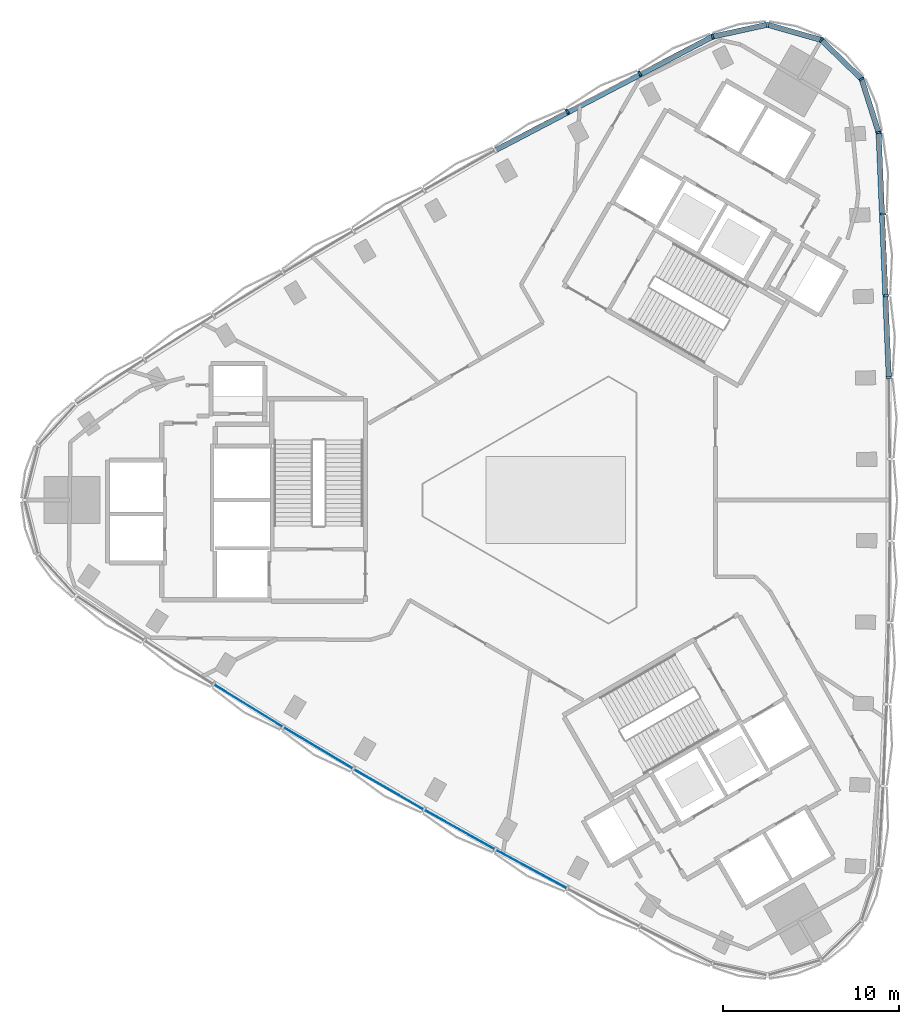
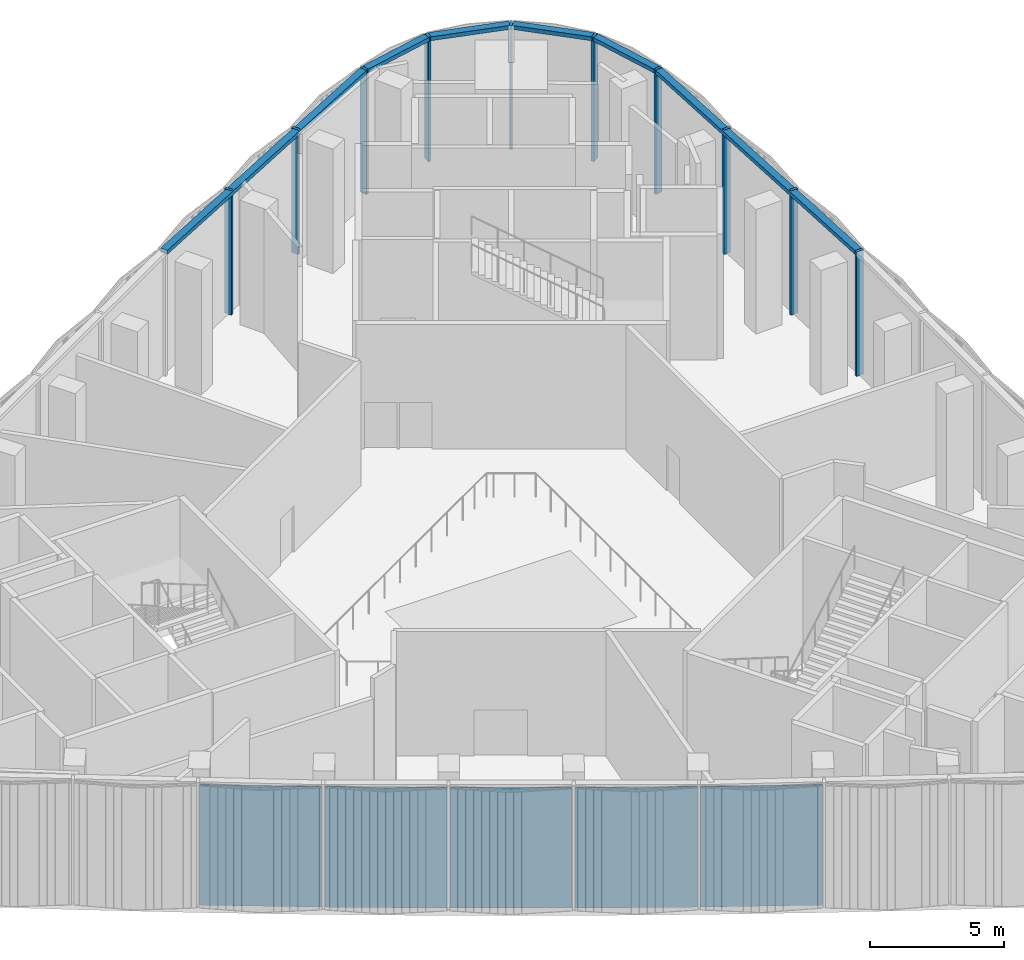
# One storey, part 3 of 14: 16 members, 5 plates, 3 elements without a shape of their own.
"""IFC4 building model written with IfcOpenShell, lengths in metres."""

from ifc_helpers import new_model, si_unit, direction, frame, origin, origin_2d, place, context, subcontext, project, spatial, rectangle, extrude, material, layer, layer_set, material_profile, profile_set, type_object, element, aggregate, save


model = new_model("IFC4")

# Units and contexts
model_context = context("Model", 3, precision=1e-05, world=origin(), true_north=direction((0.0, 1.0)))
body_context = subcontext(model_context, "Body", "Model", "MODEL_VIEW")
ifc_project = project(units=[si_unit("LENGTHUNIT", "METRE"), si_unit("AREAUNIT", "SQUARE_METRE"), si_unit("VOLUMEUNIT", "CUBIC_METRE"), si_unit("PLANEANGLEUNIT", "RADIAN"), si_unit("MASSUNIT", "GRAM", prefix="KILO")], contexts=[model_context])

# Site, building, storey
site_placement = place(None, origin())
site = spatial("IfcSite", under=ifc_project, at=site_placement, CompositionType="ELEMENT")
building_placement = place(site_placement, origin())
building = spatial("IfcBuilding", under=site, at=building_placement, Name="Tamra Quay Hotel Tower", CompositionType="ELEMENT")
storey_placement = place(building_placement, frame((0.0, 0.0, 169.60009765625)))
storey = spatial("IfcBuildingStorey", under=building, at=storey_placement, Name="L42", CompositionType="ELEMENT", Elevation=169.60009765625)

# Curtain wall, members
ifc_material_1 = material(Name="Aluminium 6063 anodised dark grey", Category="aluminium")
curtain_wall_type = type_object("IfcCurtainWallType", Name="CW5 CURTAIN WALL", PredefinedType="NOTDEFINED", material=ifc_material_1)
curtain_wall_1_placement = place(storey_placement, origin())
curtain_wall_1 = element("IfcCurtainWall", 1, at=curtain_wall_1_placement, inside=storey, type_object=curtain_wall_type, Name="CW5 east face L42", PredefinedType="NOTDEFINED")
ifc_material_profile_1 = material_profile(ifc_material_1, rectangle(XDim=0.300048828125, YDim=0.1201171875, at=origin_2d()), Name="MULLION 120X300")
ifc_profile_set_1 = profile_set([ifc_material_profile_1], Name="Aluminium 6063 anodised dark grey")
member_type_1 = type_object("IfcMemberType", Name="MULLION CW5", PredefinedType="MULLION", material=ifc_profile_set_1)
member_1_placement = place(storey_placement, frame((18.972900390625, 6.983642578125, 0.0), z_axis=(0.0, 0.0, 1.0), x_axis=(0.999783234436, 0.020820281972, 0.0)))
member_1 = element("IfcMember", 2, at=member_1_placement, type_object=member_type_1, Name="CW5 mullion L42.E.7", PredefinedType="MULLION", context=body_context, shape_type="SweptSolid", body=[
    extrude(rectangle(XDim=0.300048828125, YDim=0.1201171875, at=origin_2d()), origin(), (0.0, 0.0, 1.0), 5.64990234375),
])
member_2_placement = place(storey_placement, frame((18.843505859375, 11.637451171875, 0.0), z_axis=(0.0, 0.0, 1.0), x_axis=(0.999398546797, 0.034677725691, 0.0)))
member_2 = element("IfcMember", 3, at=member_2_placement, type_object=member_type_1, Name="CW5 mullion L42.E.8", PredefinedType="MULLION", context=body_context, shape_type="SweptSolid", body=[
    extrude(rectangle(XDim=0.300048828125, YDim=0.1201171875, at=origin_2d()), origin(), (0.0, 0.0, 1.0), 5.64990234375),
])
member_3_placement = place(storey_placement, frame((18.64990234375, 16.28955078125, 0.0), z_axis=(0.0, 0.0, 1.0), x_axis=(0.998822706984, 0.048509792963, 0.0)))
member_3 = element("IfcMember", 4, at=member_3_placement, type_object=member_type_1, Name="CW5 mullion L42.E.9", PredefinedType="MULLION", context=body_context, shape_type="SweptSolid", body=[
    extrude(rectangle(XDim=0.300048828125, YDim=0.1201171875, at=origin_2d()), origin(), (0.0, 0.0, 1.0), 5.64990234375),
])
member_4_placement = place(storey_placement, frame((18.391845703125, 20.938232421875, 0.0), z_axis=(0.0, 0.0, 1.0), x_axis=(0.98350940873, 0.180856968182, 0.0)))
member_4 = element("IfcMember", 5, at=member_4_placement, type_object=member_type_1, Name="CW5 mullion L42.E.10", PredefinedType="MULLION", context=body_context, shape_type="SweptSolid", body=[
    extrude(rectangle(XDim=0.300048828125, YDim=0.1201171875, at=origin_2d()), origin(), (0.0, 0.0, 1.0), 5.64990234375),
])
member_5_placement = place(storey_placement, frame((17.4228515625, 23.981689453125, 0.0), z_axis=(0.0, 0.0, 1.0), x_axis=(0.85012217174, 0.526585504089, 0.0)))
member_5 = element("IfcMember", 6, at=member_5_placement, type_object=member_type_1, Name="CW5 mullion L42.E.11", PredefinedType="MULLION", context=body_context, shape_type="SweptSolid", body=[
    extrude(rectangle(XDim=0.300048828125, YDim=0.1201171875, at=origin_2d()), origin(), (0.0, 0.0, 1.0), 5.64990234375),
])
member_6_placement = place(storey_placement, frame((15.12939453125, 26.205078125, 0.0), z_axis=(0.0, 0.0, 1.0), x_axis=(0.5, 0.866025403784, 0.0)))
member_6 = element("IfcMember", 7, at=member_6_placement, type_object=member_type_1, Name="CW5 mullion L42.E.12", PredefinedType="MULLION", context=body_context, shape_type="SweptSolid", body=[
    extrude(rectangle(XDim=0.300048828125, YDim=0.1201171875, at=origin_2d()), origin(), (0.0, 0.0, 1.0), 5.64990234375),
])
member_7_placement = place(storey_placement, frame((12.057373046875, 27.079345703125, 0.0), z_axis=(0.0, 0.0, 1.0), x_axis=(0.030975337936, 0.999520149091, 0.0)))
member_7 = element("IfcMember", 8, at=member_7_placement, type_object=member_type_1, Name="CW5 mullion L42.E.13", PredefinedType="MULLION", context=body_context, shape_type="SweptSolid", body=[
    extrude(rectangle(XDim=0.300048828125, YDim=0.1201171875, at=origin_2d()), origin(), (0.0, 0.0, 1.0), 5.64990234375),
])

curtain_wall_2_placement = place(storey_placement, origin())
curtain_wall_2 = element("IfcCurtainWall", 9, at=curtain_wall_2_placement, inside=storey, type_object=curtain_wall_type, Name="CW5 north-west face L42", PredefinedType="NOTDEFINED")
member_8_placement = place(storey_placement, frame((8.93701171875, 26.39697265625, 0.0), z_axis=(0.0, 0.0, 1.0), x_axis=(-0.335127975468, 0.942172616912, 0.0)))
member_8 = element("IfcMember", 10, at=member_8_placement, type_object=member_type_1, Name="CW5 mullion L42.NW.1", PredefinedType="MULLION", context=body_context, shape_type="SweptSolid", body=[
    extrude(rectangle(XDim=0.300048828125, YDim=0.1201171875, at=origin_2d()), origin(), (0.0, 0.0, 1.0), 5.64990234375),
])
member_9_placement = place(storey_placement, frame((4.7822265625, 24.296142578125, 0.0), z_axis=(0.0, 0.0, 1.0), x_axis=(-0.457400640453, 0.889260734606, 0.0)))
member_9 = element("IfcMember", 11, at=member_9_placement, type_object=member_type_1, Name="CW5 mullion L42.NW.2", PredefinedType="MULLION", context=body_context, shape_type="SweptSolid", body=[
    extrude(rectangle(XDim=0.300048828125, YDim=0.1201171875, at=origin_2d()), origin(), (0.0, 0.0, 1.0), 5.64990234375),
])
member_10_placement = place(storey_placement, frame((0.656494140625, 22.1376953125, 0.0), z_axis=(0.0, 0.0, 1.0), x_axis=(-0.469667482005, 0.882843392878, 0.0)))
member_10 = element("IfcMember", 12, at=member_10_placement, type_object=member_type_1, Name="CW5 mullion L42.NW.3", PredefinedType="MULLION", context=body_context, shape_type="SweptSolid", body=[
    extrude(rectangle(XDim=0.300048828125, YDim=0.1201171875, at=origin_2d()), origin(), (0.0, 0.0, 1.0), 5.64990234375),
])

# Member
ifc_material_profile_2 = material_profile(ifc_material_1, rectangle(XDim=0.300048828125, YDim=0.179931640625, at=origin_2d()), Name="TRANSOM 300X180")
ifc_profile_set_2 = profile_set([ifc_material_profile_2], Name="Aluminium 6063 anodised dark grey")
member_type_2 = type_object("IfcMemberType", Name="TRANSOM CW5", PredefinedType="USERDEFINED", material=ifc_profile_set_2)
member_11_placement = place(storey_placement, frame((18.97119140625, 7.043701171875, 5.559814453125), z_axis=(-0.041593875025, 0.999134600322, 0.0), x_axis=(-0.999134600322, -0.041593875025, 0.0)))
member_11 = element("IfcMember", 13, at=member_11_placement, type_object=member_type_2, Name="CW5 transom L42.E.7", ObjectType="TRANSOM", PredefinedType="USERDEFINED", context=body_context, shape_type="SweptSolid", body=[
    extrude(rectangle(XDim=0.300048828125, YDim=0.179931640625, at=origin_2d()), origin(), (0.0, 0.0, 1.0), 13.846435546875),
])

member_12_placement = place(storey_placement, frame((18.373779296875, 20.995361328125, 5.559814453125), z_axis=(-0.303452775259, 0.952846479339, 0.0), x_axis=(-0.952846479339, -0.303452775259, 0.0)))
member_12 = element("IfcMember", 14, at=member_12_placement, type_object=member_type_2, Name="CW5 transom L42.E.10", ObjectType="TRANSOM", PredefinedType="USERDEFINED", context=body_context, shape_type="SweptSolid", body=[
    extrude(rectangle(XDim=0.300048828125, YDim=0.179931640625, at=origin_2d()), origin(), (0.0, 0.0, 1.0), 3.07421875),
])

member_13_placement = place(storey_placement, frame((17.379638671875, 24.0234375, 5.559814453125), z_axis=(-0.717942488034, 0.696102423409, 0.0), x_axis=(-0.696102423409, -0.717942488034, 0.0)))
member_13 = element("IfcMember", 15, at=member_13_placement, type_object=member_type_2, Name="CW5 transom L42.E.11", ObjectType="TRANSOM", PredefinedType="USERDEFINED", context=body_context, shape_type="SweptSolid", body=[
    extrude(rectangle(XDim=0.300048828125, YDim=0.179931640625, at=origin_2d()), origin(), (0.0, 0.0, 1.0), 3.07421875),
])

member_14_placement = place(storey_placement, frame((15.07177734375, 26.221435546875, 5.559814453125), z_axis=(-0.961802156592, 0.27374552339, 0.0), x_axis=(-0.27374552339, -0.961802156592, 0.0)))
member_14 = element("IfcMember", 16, at=member_14_placement, type_object=member_type_2, Name="CW5 transom L42.E.12", ObjectType="TRANSOM", PredefinedType="USERDEFINED", context=body_context, shape_type="SweptSolid", body=[
    extrude(rectangle(XDim=0.300048828125, YDim=0.179931640625, at=origin_2d()), origin(), (0.0, 0.0, 1.0), 3.07421875),
])

member_15_placement = place(storey_placement, frame((11.998779296875, 27.066650390625, 5.559814453125), z_axis=(-0.976897426865, -0.213708720892, 0.0), x_axis=(0.213708720892, -0.976897426865, 0.0)))
member_15 = element("IfcMember", 17, at=member_15_placement, type_object=member_type_2, Name="CW5 transom L42.E.13", ObjectType="TRANSOM", PredefinedType="USERDEFINED", context=body_context, shape_type="SweptSolid", body=[
    extrude(rectangle(XDim=0.300048828125, YDim=0.179931640625, at=origin_2d()), origin(), (0.0, 0.0, 1.0), 3.07421875),
])

aggregate(curtain_wall_1, [member_1, member_11, member_2, member_3, member_4, member_12, member_5, member_13, member_6, member_14, member_7, member_15])

member_16_placement = place(storey_placement, frame((8.883544921875, 26.369873046875, 5.559814453125), z_axis=(-0.886074370375, -0.46354310497, 0.0), x_axis=(0.46354310497, -0.886074370375, 0.0)))
member_16 = element("IfcMember", 18, at=member_16_placement, type_object=member_type_2, Name="CW5 transom L42.NW.1", ObjectType="TRANSOM", PredefinedType="USERDEFINED", context=body_context, shape_type="SweptSolid", body=[
    extrude(rectangle(XDim=0.300048828125, YDim=0.179931640625, at=origin_2d()), origin(), (0.0, 0.0, 1.0), 13.846435546875),
])

aggregate(curtain_wall_2, [member_8, member_16, member_9, member_10])

# Curtain wall, plates
curtain_wall_3_placement = place(storey_placement, origin())
curtain_wall_3 = element("IfcCurtainWall", 19, at=curtain_wall_3_placement, inside=storey, type_object=curtain_wall_type, Name="CW5 south-west face L42", PredefinedType="NOTDEFINED")
ifc_material_2 = material(Name="Glass clear laminated low-iron", Category="glass")
ifc_layer = layer(ifc_material_2, 0.0400390625)
ifc_layer_set = layer_set([ifc_layer], Name="GLASS PANEL CW5")
plate_type = type_object("IfcPlateType", Name="GLASS PANEL CW5", PredefinedType="CURTAIN_PANEL", material=ifc_layer_set)
plate_1_placement = place(storey_placement, frame((-17.517333984375, -11.7197265625, 0.0), z_axis=(0.0, 0.0, 1.0), x_axis=(0.851814939532, -0.523842828328, 0.0)))
plate_1 = element("IfcPlate", 20, at=plate_1_placement, type_object=plate_type, Name="CW5 glass L42.SW.3", PredefinedType="CURTAIN_PANEL", context=body_context, shape_type="SweptSolid", body=[
    extrude(rectangle(XDim=4.535400390625, YDim=0.0400390625, at=origin_2d()), origin(), (0.0, 0.0, 1.0), 5.469970703125),
])
plate_2_placement = place(storey_placement, frame((-13.53466796875, -14.131103515625, 0.0), z_axis=(0.0, 0.0, 1.0), x_axis=(0.858998990153, -0.511977279688, 0.0)))
plate_2 = element("IfcPlate", 21, at=plate_2_placement, type_object=plate_type, Name="CW5 glass L42.SW.4", PredefinedType="CURTAIN_PANEL", context=body_context, shape_type="SweptSolid", body=[
    extrude(rectangle(XDim=4.5361328125, YDim=0.0400390625, at=origin_2d()), origin(), (0.0, 0.0, 1.0), 5.469970703125),
])
plate_3_placement = place(storey_placement, frame((-9.518798828125, -16.487060546875, 0.0), z_axis=(0.0, 0.0, 1.0), x_axis=(0.866025403784, -0.5, 0.0)))
plate_3 = element("IfcPlate", 22, at=plate_3_placement, type_object=plate_type, Name="CW5 glass L42.SW.5", PredefinedType="CURTAIN_PANEL", context=body_context, shape_type="SweptSolid", body=[
    extrude(rectangle(XDim=4.5361328125, YDim=0.0400390625, at=origin_2d()), origin(), (0.0, 0.0, 1.0), 5.469970703125),
])
plate_4_placement = place(storey_placement, frame((-5.470458984375, -18.786865234375, 0.0), z_axis=(0.0, 0.0, 1.0), x_axis=(0.872884825446, -0.487926307454, 0.0)))
plate_4 = element("IfcPlate", 23, at=plate_4_placement, type_object=plate_type, Name="CW5 glass L42.SW.6", PredefinedType="CURTAIN_PANEL", context=body_context, shape_type="SweptSolid", body=[
    extrude(rectangle(XDim=4.5361328125, YDim=0.0400390625, at=origin_2d()), origin(), (0.0, 0.0, 1.0), 5.469970703125),
])
plate_5_placement = place(storey_placement, frame((-1.390869140625, -21.0302734375, 0.0), z_axis=(0.0, 0.0, 1.0), x_axis=(0.879568666688, -0.475771962794, 0.0)))
plate_5 = element("IfcPlate", 24, at=plate_5_placement, type_object=plate_type, Name="CW5 glass L42.SW.7", PredefinedType="CURTAIN_PANEL", context=body_context, shape_type="SweptSolid", body=[
    extrude(rectangle(XDim=4.535400390625, YDim=0.0400390625, at=origin_2d()), origin(), (0.0, 0.0, 1.0), 5.469970703125),
])
aggregate(curtain_wall_3, [plate_1, plate_2, plate_3, plate_4, plate_5])

save(model, "model.ifc")
